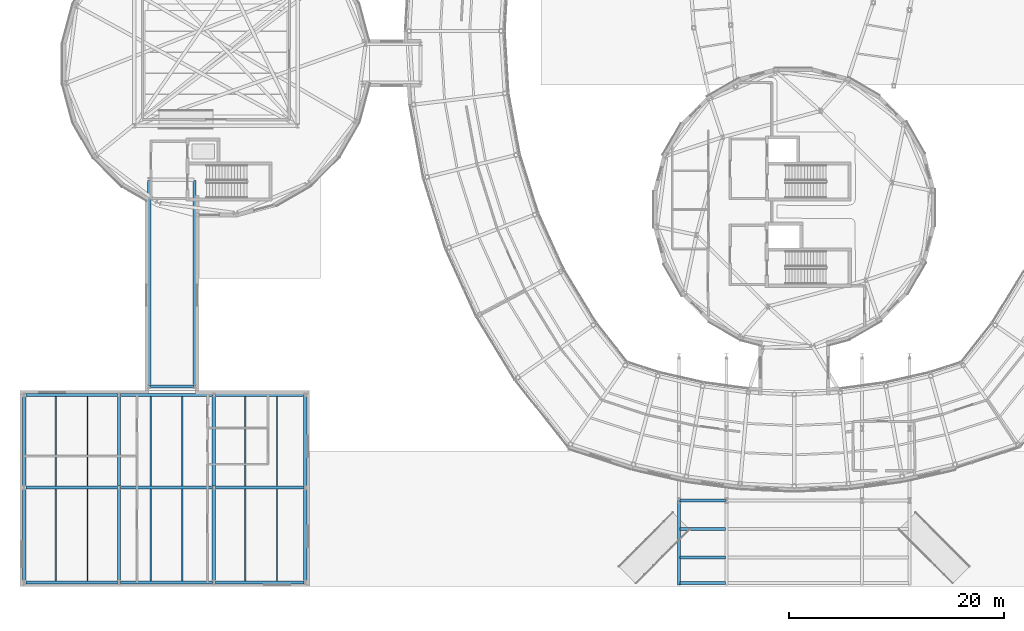
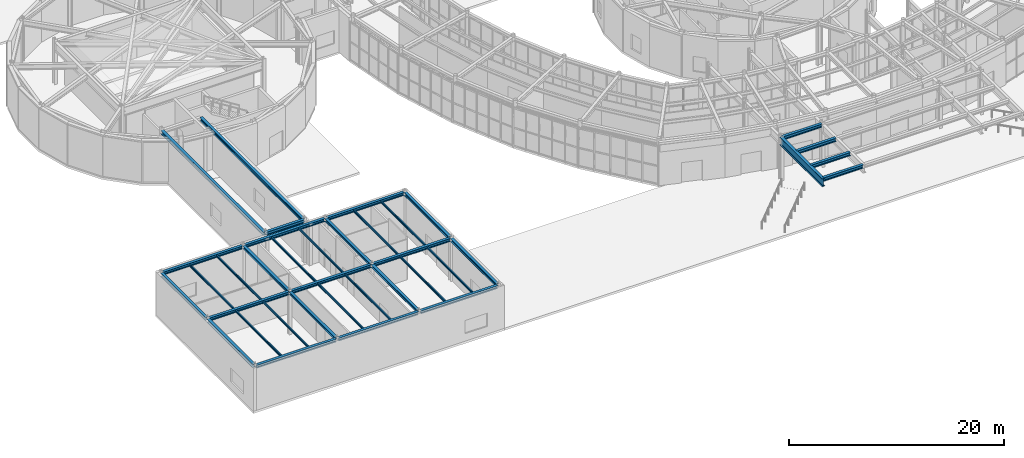
# One storey, part 18 of 97: 37 beams.
"""IFC4 building model written with IfcOpenShell, lengths in metres."""

from ifc_helpers import new_model, si_unit, direction, frame, origin, origin_2d, place, context, subcontext, project, spatial, i_section, extrude, material, material_profile, profile_set, type_object, element, save


model = new_model("IFC4")

# Units and contexts
model_context = context("Model", 3, precision=1e-05, world=origin(), true_north=direction((0.0, 1.0)))
body_context = subcontext(model_context, "Body", "Model", "MODEL_VIEW")
ifc_project = project(units=[si_unit("LENGTHUNIT", "METRE"), si_unit("AREAUNIT", "SQUARE_METRE"), si_unit("VOLUMEUNIT", "CUBIC_METRE"), si_unit("PLANEANGLEUNIT", "RADIAN"), si_unit("MASSUNIT", "GRAM", prefix="KILO")], contexts=[model_context])

# Site, building, storey
site_placement = place(None, origin())
site = spatial("IfcSite", under=ifc_project, at=site_placement, CompositionType="ELEMENT")
building_placement = place(site_placement, origin())
building = spatial("IfcBuilding", under=site, at=building_placement, Name="Varnklinge Art Gallery", CompositionType="ELEMENT")
storey_placement = place(building_placement, origin())
storey = spatial("IfcBuildingStorey", under=building, at=storey_placement, Name="L00", CompositionType="ELEMENT", Elevation=0.0)

# Beams
ifc_material_1 = material(Name="Steel S355", Category="steel")
ifc_material_profile_1 = material_profile(ifc_material_1, i_section(OverallWidth=0.300048828125, OverallDepth=0.89990234375, WebThickness=0.0185546875, FlangeThickness=0.034912109375, FilletRadius=0.030029296875, at=origin_2d()), Name="HEB 900")
ifc_profile_set_1 = profile_set([ifc_material_profile_1], Name="Steel S355")
beam_type_1 = type_object("IfcBeamType", Name="BM-02", PredefinedType="BEAM", material=ifc_profile_set_1)
beam_1_placement = place(storey_placement, frame((64.800048828125, 11.39990234375, 4.429931640625), z_axis=(0.0, -1.0, 0.0), x_axis=(1.0, 0.0, 0.0)))
element("IfcBeam", 1, at=beam_1_placement, inside=storey, type_object=beam_type_1, Name="Canopy Cantilever Girder 1", PredefinedType="BEAM", context=body_context, shape_type="SweptSolid", body=[
    extrude(i_section(OverallWidth=0.300048828125, OverallDepth=0.89990234375, WebThickness=0.0185546875, FlangeThickness=0.034912109375, FilletRadius=0.030029296875, at=origin_2d()), origin(), (0.0, 0.0, 1.0), 7.849853515625),
])
ifc_material_2 = material(Name="Steel S355", Category="steel")
ifc_material_profile_2 = material_profile(ifc_material_2, i_section(OverallWidth=0.300048828125, OverallDepth=0.389892578125, WebThickness=0.010986328125, FlangeThickness=0.01904296875, FilletRadius=0.027099609375, at=origin_2d()), Name="HEA 400")
ifc_profile_set_2 = profile_set([ifc_material_profile_2], Name="Steel S355")
beam_type_2 = type_object("IfcBeamType", Name="BM-09", PredefinedType="BEAM", material=ifc_profile_set_2)
for number, where, z_axis, x_axis, name in (
    (2, (64.8798828125, 3.75, 4.68505859375), (1.0, 0.0, 0.0), (0.0, 1.0, 0.0), "L00 BM-09 BM-CAN-TR-1-1"),
    (3, (64.8798828125, 6.10009765625, 4.68505859375), (1.0, 0.0, 0.0), (0.0, 1.0, 0.0), "L00 BM-09 BM-CAN-TR-2-1"),
    (4, (64.8798828125, 8.75, 4.68505859375), (1.0, 0.0, 0.0), (0.0, 1.0, 0.0), "L00 BM-09 BM-CAN-TR-3-1"),
    (5, (64.8798828125, 11.39990234375, 4.68505859375), (1.0, 0.0, 0.0), (0.0, 1.0, 0.0), "L00 BM-09 BM-CAN-TR-4-1"),
):
    element("IfcBeam", number, at=place(storey_placement, frame(where, z_axis=z_axis, x_axis=x_axis)), inside=storey, type_object=beam_type_2, Name=name, PredefinedType="BEAM", context=body_context, shape_type="SweptSolid", body=[
        extrude(i_section(OverallWidth=0.300048828125, OverallDepth=0.389892578125, WebThickness=0.010986328125, FlangeThickness=0.01904296875, FilletRadius=0.027099609375, at=origin_2d()), origin(), (0.0, 0.0, 1.0), 4.240234375),
    ])
beam_2_placement = place(storey_placement, frame((15.659912109375, 22.0, 4.68505859375), z_axis=(1.0, 0.0, 0.0), x_axis=(0.0, 1.0, 0.0)))
element("IfcBeam", 6, at=beam_2_placement, inside=storey, type_object=beam_type_2, Name="L00 BM-09 BM-LNK-SW-L01-1", PredefinedType="BEAM", context=body_context, shape_type="SweptSolid", body=[
    extrude(i_section(OverallWidth=0.300048828125, OverallDepth=0.389892578125, WebThickness=0.010986328125, FlangeThickness=0.01904296875, FilletRadius=0.027099609375, at=origin_2d()), origin(), (0.0, 0.0, 1.0), 4.080078125),
])
for number, where, z_axis, x_axis, name in (
    (7, (19.800048828125, 22.06005859375, 4.625), (0.0, 1.0, 0.0), (-1.0, 0.0, 0.0), "L00 BM-09 BM-LNK-SW-L01-2"),
    (8, (15.60009765625, 41.139892578125, 4.625), (0.0, -1.0, 0.0), (1.0, 0.0, 0.0), "L00 BM-09 BM-LNK-SW-L01-4"),
):
    element("IfcBeam", number, at=place(storey_placement, frame(where, z_axis=z_axis, x_axis=x_axis)), inside=storey, type_object=beam_type_2, Name=name, PredefinedType="BEAM", context=body_context, shape_type="SweptSolid", body=[
        extrude(i_section(OverallWidth=0.300048828125, OverallDepth=0.389892578125, WebThickness=0.010986328125, FlangeThickness=0.01904296875, FilletRadius=0.027099609375, at=origin_2d()), origin(), (0.0, 0.0, 1.0), 19.079833984375),
    ])
ifc_material_3 = material(Name="Steel S355", Category="steel")
ifc_material_profile_3 = material_profile(ifc_material_3, i_section(OverallWidth=0.300048828125, OverallDepth=0.35009765625, WebThickness=0.010009765625, FlangeThickness=0.017578125, FilletRadius=0.027099609375, at=origin_2d()), Name="HEA 360")
ifc_profile_set_3 = profile_set([ifc_material_profile_3], Name="Steel S355")
beam_type_3 = type_object("IfcBeamType", Name="BM-10", PredefinedType="BEAM", material=ifc_profile_set_3)
for number, where, z_axis, x_axis, name in (
    (9, (4.139892578125, 12.60009765625, 4.705078125), (1.0, 0.0, 0.0), (0.0, 1.0, 0.0), "L00 BM-10 BM-V6SW-L01-X1-0"),
    (10, (12.93994140625, 12.60009765625, 4.705078125), (1.0, 0.0, 0.0), (0.0, 1.0, 0.0), "L00 BM-10 BM-V6SW-L01-X1-1"),
):
    element("IfcBeam", number, at=place(storey_placement, frame(where, z_axis=z_axis, x_axis=x_axis)), inside=storey, type_object=beam_type_3, Name=name, PredefinedType="BEAM", context=body_context, shape_type="SweptSolid", body=[
        extrude(i_section(OverallWidth=0.300048828125, OverallDepth=0.35009765625, WebThickness=0.010009765625, FlangeThickness=0.017578125, FilletRadius=0.027099609375, at=origin_2d()), origin(), (0.0, 0.0, 1.0), 8.52001953125),
    ])
beam_3_placement = place(storey_placement, frame((21.739990234375, 12.60009765625, 4.705078125), z_axis=(1.0, 0.0, 0.0), x_axis=(0.0, 1.0, 0.0)))
element("IfcBeam", 11, at=beam_3_placement, inside=storey, type_object=beam_type_3, Name="L00 BM-10 BM-V6SW-L01-X1-2", PredefinedType="BEAM", context=body_context, shape_type="SweptSolid", body=[
    extrude(i_section(OverallWidth=0.300048828125, OverallDepth=0.35009765625, WebThickness=0.010009765625, FlangeThickness=0.017578125, FilletRadius=0.027099609375, at=origin_2d()), origin(), (0.0, 0.0, 1.0), 8.219970703125),
])
ifc_material_4 = material(Name="Steel S355", Category="steel")
ifc_material_profile_4 = material_profile(ifc_material_4, i_section(OverallWidth=0.300048828125, OverallDepth=0.2900390625, WebThickness=0.008544921875, FlangeThickness=0.013916015625, FilletRadius=0.027099609375, at=origin_2d()), Name="HEA 300")
ifc_profile_set_4 = profile_set([ifc_material_profile_4], Name="Steel S355")
beam_type_4 = type_object("IfcBeamType", Name="BM-11", PredefinedType="BEAM", material=ifc_profile_set_4)
beam_4_placement = place(storey_placement, frame((12.800048828125, 3.93994140625, 4.735107421875), z_axis=(0.0, 1.0, 0.0), x_axis=(-1.0, 0.0, 0.0)))
element("IfcBeam", 12, at=beam_4_placement, inside=storey, type_object=beam_type_4, Name="L00 BM-11 BM-V6SW-L01-Y1-0", PredefinedType="BEAM", context=body_context, shape_type="SweptSolid", body=[
    extrude(i_section(OverallWidth=0.300048828125, OverallDepth=0.2900390625, WebThickness=0.008544921875, FlangeThickness=0.013916015625, FilletRadius=0.027099609375, at=origin_2d()), origin(), (0.0, 0.0, 1.0), 8.52001953125),
])
beam_5_placement = place(storey_placement, frame((12.800048828125, 12.739990234375, 4.735107421875), z_axis=(0.0, 1.0, 0.0), x_axis=(-1.0, 0.0, 0.0)))
element("IfcBeam", 13, at=beam_5_placement, inside=storey, type_object=beam_type_4, Name="L00 BM-11 BM-V6SW-L01-Y1-1", PredefinedType="BEAM", context=body_context, shape_type="SweptSolid", body=[
    extrude(i_section(OverallWidth=0.300048828125, OverallDepth=0.2900390625, WebThickness=0.008544921875, FlangeThickness=0.013916015625, FilletRadius=0.027099609375, at=origin_2d()), origin(), (0.0, 0.0, 1.0), 8.320068359375),
])
beam_6_placement = place(storey_placement, frame((21.60009765625, 3.93994140625, 4.735107421875), z_axis=(0.0, 1.0, 0.0), x_axis=(-1.0, 0.0, 0.0)))
element("IfcBeam", 14, at=beam_6_placement, inside=storey, type_object=beam_type_4, Name="L00 BM-11 BM-V6SW-L01-Y2-0", PredefinedType="BEAM", context=body_context, shape_type="SweptSolid", body=[
    extrude(i_section(OverallWidth=0.300048828125, OverallDepth=0.2900390625, WebThickness=0.008544921875, FlangeThickness=0.013916015625, FilletRadius=0.027099609375, at=origin_2d()), origin(), (0.0, 0.0, 1.0), 8.52001953125),
])
beam_7_placement = place(storey_placement, frame((21.60009765625, 12.739990234375, 4.735107421875), z_axis=(0.0, 1.0, 0.0), x_axis=(-1.0, 0.0, 0.0)))
element("IfcBeam", 15, at=beam_7_placement, inside=storey, type_object=beam_type_4, Name="L00 BM-11 BM-V6SW-L01-Y2-1", PredefinedType="BEAM", context=body_context, shape_type="SweptSolid", body=[
    extrude(i_section(OverallWidth=0.300048828125, OverallDepth=0.2900390625, WebThickness=0.008544921875, FlangeThickness=0.013916015625, FilletRadius=0.027099609375, at=origin_2d()), origin(), (0.0, 0.0, 1.0), 8.320068359375),
])
ifc_material_5 = material(Name="Steel S355", Category="steel")
ifc_material_profile_5 = material_profile(ifc_material_5, i_section(OverallWidth=0.1201171875, OverallDepth=0.239990234375, WebThickness=0.006103515625, FlangeThickness=0.009765625, FilletRadius=0.014892578125, at=origin_2d()), Name="IPE 240")
ifc_profile_set_5 = profile_set([ifc_material_profile_5], Name="Steel S355")
beam_type_5 = type_object("IfcBeamType", Name="JST-10", PredefinedType="JOIST", material=ifc_profile_set_5)
for number, where, z_axis, x_axis, name in (
    (16, (6.929931640625, 3.93994140625, 4.760009765625), (0.0, 1.0, 0.0), (-1.0, 0.0, 0.0), "L00 JST-10 JST-V6SW-L01-0-0-1"),
    (17, (9.860107421875, 3.93994140625, 4.760009765625), (0.0, 1.0, 0.0), (-1.0, 0.0, 0.0), "L00 JST-10 JST-V6SW-L01-0-0-2"),
):
    element("IfcBeam", number, at=place(storey_placement, frame(where, z_axis=z_axis, x_axis=x_axis)), inside=storey, type_object=beam_type_5, Name=name, PredefinedType="JOIST", context=body_context, shape_type="SweptSolid", body=[
        extrude(i_section(OverallWidth=0.1201171875, OverallDepth=0.239990234375, WebThickness=0.006103515625, FlangeThickness=0.009765625, FilletRadius=0.014892578125, at=origin_2d()), origin(), (0.0, 0.0, 1.0), 8.52001953125),
    ])
for number, where, z_axis, x_axis, name in (
    (18, (6.929931640625, 12.739990234375, 4.760009765625), (0.0, 1.0, 0.0), (-1.0, 0.0, 0.0), "L00 JST-10 JST-V6SW-L01-0-1-1"),
    (19, (9.860107421875, 12.739990234375, 4.760009765625), (0.0, 1.0, 0.0), (-1.0, 0.0, 0.0), "L00 JST-10 JST-V6SW-L01-0-1-2"),
):
    element("IfcBeam", number, at=place(storey_placement, frame(where, z_axis=z_axis, x_axis=x_axis)), inside=storey, type_object=beam_type_5, Name=name, PredefinedType="JOIST", context=body_context, shape_type="SweptSolid", body=[
        extrude(i_section(OverallWidth=0.1201171875, OverallDepth=0.239990234375, WebThickness=0.006103515625, FlangeThickness=0.009765625, FilletRadius=0.014892578125, at=origin_2d()), origin(), (0.0, 0.0, 1.0), 8.320068359375),
    ])
for number, where, z_axis, x_axis, name in (
    (20, (15.72998046875, 3.93994140625, 4.760009765625), (0.0, 1.0, 0.0), (-1.0, 0.0, 0.0), "L00 JST-10 JST-V6SW-L01-1-0-1"),
    (21, (18.659912109375, 3.93994140625, 4.760009765625), (0.0, 1.0, 0.0), (-1.0, 0.0, 0.0), "L00 JST-10 JST-V6SW-L01-1-0-2"),
):
    element("IfcBeam", number, at=place(storey_placement, frame(where, z_axis=z_axis, x_axis=x_axis)), inside=storey, type_object=beam_type_5, Name=name, PredefinedType="JOIST", context=body_context, shape_type="SweptSolid", body=[
        extrude(i_section(OverallWidth=0.1201171875, OverallDepth=0.239990234375, WebThickness=0.006103515625, FlangeThickness=0.009765625, FilletRadius=0.014892578125, at=origin_2d()), origin(), (0.0, 0.0, 1.0), 8.52001953125),
    ])
for number, where, z_axis, x_axis, name in (
    (22, (15.72998046875, 12.739990234375, 4.760009765625), (0.0, 1.0, 0.0), (-1.0, 0.0, 0.0), "L00 JST-10 JST-V6SW-L01-1-1-1"),
    (23, (18.659912109375, 12.739990234375, 4.760009765625), (0.0, 1.0, 0.0), (-1.0, 0.0, 0.0), "L00 JST-10 JST-V6SW-L01-1-1-2"),
):
    element("IfcBeam", number, at=place(storey_placement, frame(where, z_axis=z_axis, x_axis=x_axis)), inside=storey, type_object=beam_type_5, Name=name, PredefinedType="JOIST", context=body_context, shape_type="SweptSolid", body=[
        extrude(i_section(OverallWidth=0.1201171875, OverallDepth=0.239990234375, WebThickness=0.006103515625, FlangeThickness=0.009765625, FilletRadius=0.014892578125, at=origin_2d()), origin(), (0.0, 0.0, 1.0), 8.320068359375),
    ])
for number, where, z_axis, x_axis, name in (
    (24, (24.530029296875, 3.93994140625, 4.760009765625), (0.0, 1.0, 0.0), (-1.0, 0.0, 0.0), "L00 JST-10 JST-V6SW-L01-2-0-1"),
    (25, (27.4599609375, 3.93994140625, 4.760009765625), (0.0, 1.0, 0.0), (-1.0, 0.0, 0.0), "L00 JST-10 JST-V6SW-L01-2-0-2"),
):
    element("IfcBeam", number, at=place(storey_placement, frame(where, z_axis=z_axis, x_axis=x_axis)), inside=storey, type_object=beam_type_5, Name=name, PredefinedType="JOIST", context=body_context, shape_type="SweptSolid", body=[
        extrude(i_section(OverallWidth=0.1201171875, OverallDepth=0.239990234375, WebThickness=0.006103515625, FlangeThickness=0.009765625, FilletRadius=0.014892578125, at=origin_2d()), origin(), (0.0, 0.0, 1.0), 8.52001953125),
    ])
for number, where, z_axis, x_axis, name in (
    (26, (24.530029296875, 12.739990234375, 4.760009765625), (0.0, 1.0, 0.0), (-1.0, 0.0, 0.0), "L00 JST-10 JST-V6SW-L01-2-1-1"),
    (27, (27.4599609375, 12.739990234375, 4.760009765625), (0.0, 1.0, 0.0), (-1.0, 0.0, 0.0), "L00 JST-10 JST-V6SW-L01-2-1-2"),
):
    element("IfcBeam", number, at=place(storey_placement, frame(where, z_axis=z_axis, x_axis=x_axis)), inside=storey, type_object=beam_type_5, Name=name, PredefinedType="JOIST", context=body_context, shape_type="SweptSolid", body=[
        extrude(i_section(OverallWidth=0.1201171875, OverallDepth=0.239990234375, WebThickness=0.006103515625, FlangeThickness=0.009765625, FilletRadius=0.014892578125, at=origin_2d()), origin(), (0.0, 0.0, 1.0), 8.320068359375),
    ])
ifc_material_6 = material(Name="Steel S355", Category="steel")
ifc_material_profile_6 = material_profile(ifc_material_6, i_section(OverallWidth=0.300048828125, OverallDepth=0.35009765625, WebThickness=0.010009765625, FlangeThickness=0.017578125, FilletRadius=0.027099609375, at=origin_2d()), Name="HEA 360")
ifc_profile_set_6 = profile_set([ifc_material_profile_6], Name="Steel S355")
beam_type_6 = type_object("IfcBeamType", Name="SPB-04", PredefinedType="SPANDREL", material=ifc_profile_set_6)
for number, where, z_axis, x_axis, name in (
    (28, (4.139892578125, 3.800048828125, 4.705078125), (1.0, 0.0, 0.0), (0.0, 1.0, 0.0), "L00 SPB-04 BM-V6SW-L01-X0-0"),
    (29, (12.93994140625, 3.800048828125, 4.705078125), (1.0, 0.0, 0.0), (0.0, 1.0, 0.0), "L00 SPB-04 BM-V6SW-L01-X0-1"),
):
    element("IfcBeam", number, at=place(storey_placement, frame(where, z_axis=z_axis, x_axis=x_axis)), inside=storey, type_object=beam_type_6, Name=name, PredefinedType="SPANDREL", context=body_context, shape_type="SweptSolid", body=[
        extrude(i_section(OverallWidth=0.300048828125, OverallDepth=0.35009765625, WebThickness=0.010009765625, FlangeThickness=0.017578125, FilletRadius=0.027099609375, at=origin_2d()), origin(), (0.0, 0.0, 1.0), 8.52001953125),
    ])
beam_8_placement = place(storey_placement, frame((21.739990234375, 3.800048828125, 4.705078125), z_axis=(1.0, 0.0, 0.0), x_axis=(0.0, 1.0, 0.0)))
element("IfcBeam", 30, at=beam_8_placement, inside=storey, type_object=beam_type_6, Name="L00 SPB-04 BM-V6SW-L01-X0-2", PredefinedType="SPANDREL", context=body_context, shape_type="SweptSolid", body=[
    extrude(i_section(OverallWidth=0.300048828125, OverallDepth=0.35009765625, WebThickness=0.010009765625, FlangeThickness=0.017578125, FilletRadius=0.027099609375, at=origin_2d()), origin(), (0.0, 0.0, 1.0), 8.219970703125),
])
for number, where, z_axis, x_axis, name in (
    (31, (4.139892578125, 21.199951171875, 4.705078125), (1.0, 0.0, 0.0), (0.0, 1.0, 0.0), "L00 SPB-04 BM-V6SW-L01-X2-0"),
    (32, (12.93994140625, 21.199951171875, 4.705078125), (1.0, 0.0, 0.0), (0.0, 1.0, 0.0), "L00 SPB-04 BM-V6SW-L01-X2-1"),
):
    element("IfcBeam", number, at=place(storey_placement, frame(where, z_axis=z_axis, x_axis=x_axis)), inside=storey, type_object=beam_type_6, Name=name, PredefinedType="SPANDREL", context=body_context, shape_type="SweptSolid", body=[
        extrude(i_section(OverallWidth=0.300048828125, OverallDepth=0.35009765625, WebThickness=0.010009765625, FlangeThickness=0.017578125, FilletRadius=0.027099609375, at=origin_2d()), origin(), (0.0, 0.0, 1.0), 8.52001953125),
    ])
beam_9_placement = place(storey_placement, frame((21.739990234375, 21.199951171875, 4.705078125), z_axis=(1.0, 0.0, 0.0), x_axis=(0.0, 1.0, 0.0)))
element("IfcBeam", 33, at=beam_9_placement, inside=storey, type_object=beam_type_6, Name="L00 SPB-04 BM-V6SW-L01-X2-2", PredefinedType="SPANDREL", context=body_context, shape_type="SweptSolid", body=[
    extrude(i_section(OverallWidth=0.300048828125, OverallDepth=0.35009765625, WebThickness=0.010009765625, FlangeThickness=0.017578125, FilletRadius=0.027099609375, at=origin_2d()), origin(), (0.0, 0.0, 1.0), 8.219970703125),
])
beam_10_placement = place(storey_placement, frame((4.0, 3.93994140625, 4.705078125), z_axis=(0.0, 1.0, 0.0), x_axis=(-1.0, 0.0, 0.0)))
element("IfcBeam", 34, at=beam_10_placement, inside=storey, type_object=beam_type_6, Name="L00 SPB-04 BM-V6SW-L01-Y0-0", PredefinedType="SPANDREL", context=body_context, shape_type="SweptSolid", body=[
    extrude(i_section(OverallWidth=0.300048828125, OverallDepth=0.35009765625, WebThickness=0.010009765625, FlangeThickness=0.017578125, FilletRadius=0.027099609375, at=origin_2d()), origin(), (0.0, 0.0, 1.0), 8.52001953125),
])
beam_11_placement = place(storey_placement, frame((4.0, 12.739990234375, 4.705078125), z_axis=(0.0, 1.0, 0.0), x_axis=(-1.0, 0.0, 0.0)))
element("IfcBeam", 35, at=beam_11_placement, inside=storey, type_object=beam_type_6, Name="L00 SPB-04 BM-V6SW-L01-Y0-1", PredefinedType="SPANDREL", context=body_context, shape_type="SweptSolid", body=[
    extrude(i_section(OverallWidth=0.300048828125, OverallDepth=0.35009765625, WebThickness=0.010009765625, FlangeThickness=0.017578125, FilletRadius=0.027099609375, at=origin_2d()), origin(), (0.0, 0.0, 1.0), 8.320068359375),
])
beam_12_placement = place(storey_placement, frame((30.10009765625, 3.93994140625, 4.705078125), z_axis=(0.0, 1.0, 0.0), x_axis=(-1.0, 0.0, 0.0)))
element("IfcBeam", 36, at=beam_12_placement, inside=storey, type_object=beam_type_6, Name="L00 SPB-04 BM-V6SW-L01-Y3-0", PredefinedType="SPANDREL", context=body_context, shape_type="SweptSolid", body=[
    extrude(i_section(OverallWidth=0.300048828125, OverallDepth=0.35009765625, WebThickness=0.010009765625, FlangeThickness=0.017578125, FilletRadius=0.027099609375, at=origin_2d()), origin(), (0.0, 0.0, 1.0), 8.52001953125),
])
beam_13_placement = place(storey_placement, frame((30.10009765625, 12.739990234375, 4.705078125), z_axis=(0.0, 1.0, 0.0), x_axis=(-1.0, 0.0, 0.0)))
element("IfcBeam", 37, at=beam_13_placement, inside=storey, type_object=beam_type_6, Name="L00 SPB-04 BM-V6SW-L01-Y3-1", PredefinedType="SPANDREL", context=body_context, shape_type="SweptSolid", body=[
    extrude(i_section(OverallWidth=0.300048828125, OverallDepth=0.35009765625, WebThickness=0.010009765625, FlangeThickness=0.017578125, FilletRadius=0.027099609375, at=origin_2d()), origin(), (0.0, 0.0, 1.0), 8.320068359375),
])

save(model, "model.ifc")
